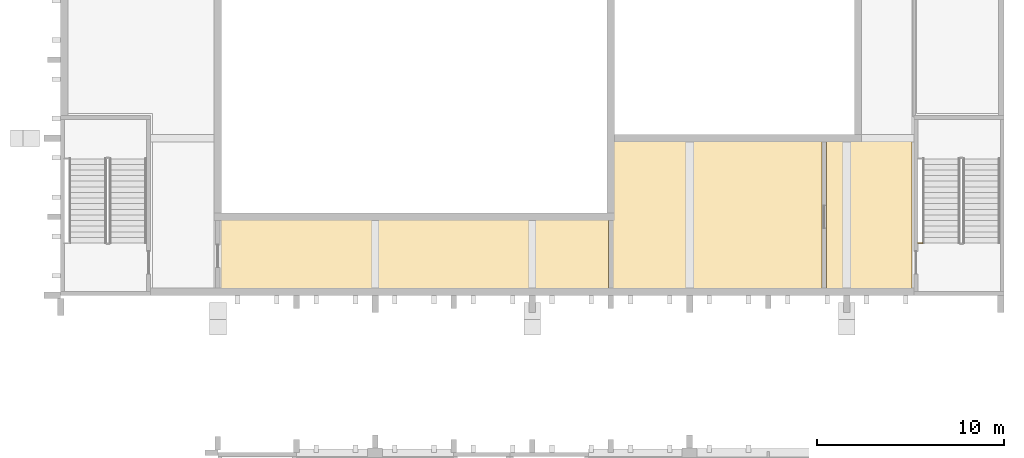
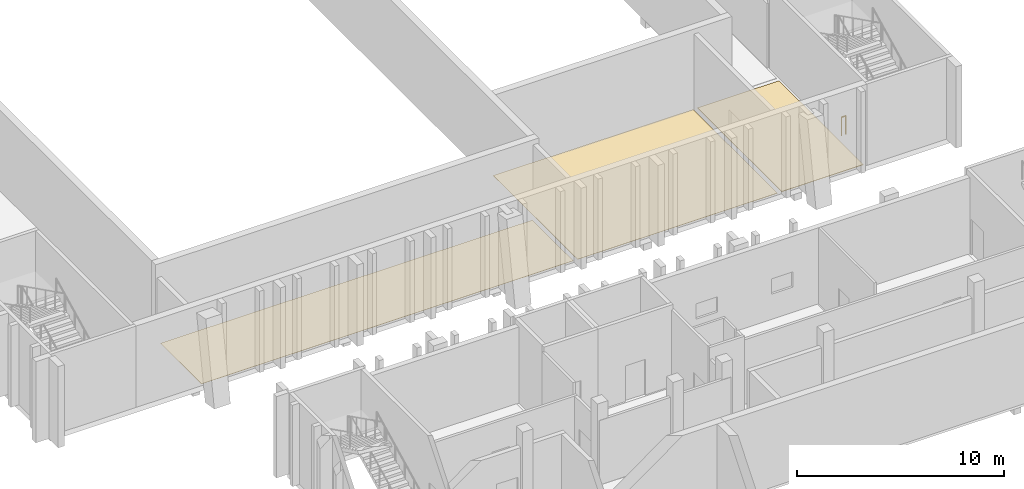
# One storey, part 90 of 91: 3 coverings, 1 railing.
"""IFC4 building model written with IfcOpenShell, lengths in metres."""

import ifcopenshell
import ifcopenshell.guid

model = None  # the IFC model being written
_history = None  # IfcOwnerHistory: only IFC2X3 demands one
_inside = {}  # id of a spatial element -> (the spatial element, [elements in it])
_under = {}  # id of a project, library or spatial element -> (it, [spatial elements below it])
_declared = {}  # id of a project -> (the project, [libraries it declares])
_typed = {}  # id of a type object -> (the type object, [elements of that type])
_made_of = {}  # id of a material, layer set ... -> (it, [elements and type objects made of it])


def new_model(schema):
    """Start an empty IFC model of exactly this schema.

    Asked for "IFC4X3", IfcOpenShell would pick the latest addendum, in which some entities
    have other attributes; the version numbers below select the first issue.
    IFC2X3 requires an IfcOwnerHistory on every rooted entity: one is made here for all.
    """
    global model, _history
    if schema == "IFC4X3":
        model = ifcopenshell.file(schema_version=(4, 3, 0, 0))
    else:
        model = ifcopenshell.file(schema=schema)
    _inside.clear()
    _under.clear()
    _declared.clear()
    _typed.clear()
    _made_of.clear()
    _history = None
    if model.schema == "IFC2X3":
        org = make("IfcOrganization", Name="unknown")
        user = make(
            "IfcPersonAndOrganization",
            ThePerson=make("IfcPerson", FamilyName="unknown"),
            TheOrganization=org,
        )
        app = make(
            "IfcApplication",
            ApplicationDeveloper=org,
            Version="unknown",
            ApplicationFullName="unknown",
            ApplicationIdentifier="unknown",
        )
        _history = make(
            "IfcOwnerHistory",
            OwningUser=user,
            OwningApplication=app,
            ChangeAction="ADDED",
            CreationDate=0,
        )
    return model


def make(cls, **values):
    """One entity of the class cls with the attributes given. An attribute that is None is left unset."""
    return model.create_entity(
        cls, **{name: value for name, value in values.items() if value is not None}
    )


def rooted(cls, **values):
    """An entity with a GlobalId (a new one), such as an element, a storey or a relation."""
    return make(cls, GlobalId=ifcopenshell.guid.new(), OwnerHistory=_history, **values)


def si_unit(unit_type, name, prefix=None):
    """IfcSIUnit, for example si_unit("LENGTHUNIT", "METRE", prefix="MILLI")."""
    return make("IfcSIUnit", UnitType=unit_type, Prefix=prefix, Name=name)


def assignment(units):
    """IfcUnitAssignment: the units of a project."""
    return None if units is None else make("IfcUnitAssignment", Units=units)


def point(xyz):
    """IfcCartesianPoint."""
    return None if xyz is None else make("IfcCartesianPoint", Coordinates=xyz)


def direction(xyz):
    """IfcDirection."""
    return None if xyz is None else make("IfcDirection", DirectionRatios=xyz)


def frame(location, z_axis=None, x_axis=None):
    """IfcAxis2Placement3D, a coordinate frame: its origin and axes. An axis left out is left unset."""
    return make(
        "IfcAxis2Placement3D",
        Location=point(location),
        Axis=direction(z_axis),
        RefDirection=direction(x_axis),
    )


def frame_2d(location, x_axis=None):
    """IfcAxis2Placement2D, a coordinate frame in the plane: its origin and x axis."""
    return make(
        "IfcAxis2Placement2D", Location=point(location), RefDirection=direction(x_axis)
    )


def origin():
    """The frame at (0, 0, 0) with its axes left unset."""
    return frame((0.0, 0.0, 0.0))


def origin_2d():
    """The frame at (0, 0) in the plane with its x axis left unset."""
    return frame_2d((0.0, 0.0))


def place(relative_to, where):
    """IfcLocalPlacement: puts the frame where relative to a parent placement (None: the world)."""
    return make(
        "IfcLocalPlacement", PlacementRelTo=relative_to, RelativePlacement=where
    )


def context(
    kind, dimensions, precision=None, world=None, true_north=None, identifier=None
):
    """IfcGeometricRepresentationContext, for example the 3D "Model" context."""
    return make(
        "IfcGeometricRepresentationContext",
        ContextIdentifier=identifier,
        ContextType=kind,
        CoordinateSpaceDimension=dimensions,
        Precision=precision,
        WorldCoordinateSystem=world,
        TrueNorth=true_north,
    )


def subcontext(parent, identifier, kind, view, scale=None):
    """IfcGeometricRepresentationSubContext, for example "Body" below "Model"."""
    return make(
        "IfcGeometricRepresentationSubContext",
        ContextIdentifier=identifier,
        ContextType=kind,
        ParentContext=parent,
        TargetScale=scale,
        TargetView=view,
    )


def project(units=None, contexts=None):
    """IfcProject with its units and contexts."""
    return rooted(
        "IfcProject",
        Name="project",
        RepresentationContexts=contexts,
        UnitsInContext=assignment(units),
    )


def spatial(cls, under=None, at=None, **own):
    """A site, building, storey or space (cls), placed at a placement, below another one or the project."""
    s = rooted(cls, ObjectPlacement=at, **own)
    if under is not None:
        _under.setdefault(under.id(), (under, []))[1].append(s)
    return s


def polyline(points):
    """IfcPolyline through the points."""
    return make("IfcPolyline", Points=[point(p) for p in points])


def profile(cls, at=None, kind="AREA", **sizes):
    """A parametric profile (cls). Its sizes go by their IFC names, for example OverallWidth=200.0."""
    return make(cls, ProfileType=kind, Position=at, **sizes)


def circle(**sizes):
    """IfcCircleProfileDef."""
    return profile("IfcCircleProfileDef", **sizes)


def outline(outer, holes=None, kind="AREA"):
    """IfcArbitraryClosedProfileDef: a profile drawn as a closed curve; with holes, ...WithVoids."""
    if holes is None:
        return make("IfcArbitraryClosedProfileDef", ProfileType=kind, OuterCurve=outer)
    return make(
        "IfcArbitraryProfileDefWithVoids",
        ProfileType=kind,
        OuterCurve=outer,
        InnerCurves=holes,
    )


def extrude(swept, where, along, depth):
    """IfcExtrudedAreaSolid: the profile swept, set in the frame where, extruded along a direction by depth."""
    return make(
        "IfcExtrudedAreaSolid",
        SweptArea=swept,
        Position=where,
        ExtrudedDirection=direction(along),
        Depth=depth,
    )


def shape(context_of_items, identifier, shape_type, items):
    """IfcShapeRepresentation: the items that make up one representation, for example the "Body"."""
    return make(
        "IfcShapeRepresentation",
        ContextOfItems=context_of_items,
        RepresentationIdentifier=identifier,
        RepresentationType=shape_type,
        Items=items,
    )


def material(Name=None, Category=None):
    """IfcMaterial."""
    return make("IfcMaterial", Name=Name, Category=Category)


def layer(
    of_material, thickness, ventilated=None, Name=None, Category=None, Priority=None
):
    """IfcMaterialLayer: one layer of a wall or slab, of a material (None: an air gap)."""
    return make(
        "IfcMaterialLayer",
        Material=of_material,
        LayerThickness=thickness,
        IsVentilated=ventilated,
        Name=Name,
        Category=Category,
        Priority=Priority,
    )


def layer_set(layers, Name=None):
    """IfcMaterialLayerSet."""
    return make("IfcMaterialLayerSet", MaterialLayers=layers, LayerSetName=Name)


def made_of(thing, what):
    """Note that an element or type object is made of a material, layer set ...; save() writes the relation."""
    if what is not None:
        _made_of.setdefault(what.id(), (what, []))[1].append(thing)
    return thing


def type_object(cls, material=None, **own):
    """A type object (cls), such as IfcWallType, which elements share."""
    return made_of(rooted(cls, **own), material)


def element(
    cls,
    number,
    at=None,
    inside=None,
    cuts=None,
    type_object=None,
    material=None,
    context=None,
    identifier="Body",
    shape_type=None,
    held_by="IfcProductDefinitionShape",
    body=None,
    shapes=None,
    **own,
):
    """One element of the class cls, such as IfcWall. Its Tag is "e" and its number.

    at: its placement. inside: the storey or other place that contains it. cuts: it is an
    opening in that element (IfcRelVoidsElement). A single representation is given by context,
    identifier, shape_type and body (its items); several are given by shapes. held_by: the class
    of the entity that holds the representations. save() writes the other relations.
    """
    e = rooted(cls, Tag="e%d" % number, ObjectPlacement=at, **own)
    if body is not None:
        shapes = [shape(context, identifier, shape_type, body)]
    if shapes is not None:
        e.Representation = make(held_by, Representations=shapes)
    if inside is not None:
        _inside.setdefault(inside.id(), (inside, []))[1].append(e)
    if cuts is not None:
        rooted(
            "IfcRelVoidsElement", RelatingBuildingElement=cuts, RelatedOpeningElement=e
        )
    if type_object is not None:
        _typed.setdefault(type_object.id(), (type_object, []))[1].append(e)
    return made_of(e, material)


def aggregate(whole, parts):
    """IfcRelAggregates: a whole, such as a stair, and the parts it consists of."""
    return rooted("IfcRelAggregates", RelatingObject=whole, RelatedObjects=parts)


def save(model, path):
    """Write the relations noted so far, then the file.

    IfcRelAggregates (storeys below a building ...), IfcRelContainedInSpatialStructure (elements
    in a storey), IfcRelDefinesByType, IfcRelAssociatesMaterial and IfcRelDeclares: one each for
    every whole, place, type object, material and project.
    """
    for whole, parts in _under.values():
        aggregate(whole, parts)
    for where, things in _inside.values():
        rooted(
            "IfcRelContainedInSpatialStructure",
            RelatedElements=things,
            RelatingStructure=where,
        )
    for kind, things in _typed.values():
        rooted("IfcRelDefinesByType", RelatedObjects=things, RelatingType=kind)
    for what, things in _made_of.values():
        rooted("IfcRelAssociatesMaterial", RelatedObjects=things, RelatingMaterial=what)
    for by, libraries in _declared.values():
        rooted("IfcRelDeclares", RelatingContext=by, RelatedDefinitions=libraries)
    model.write(path)


model = new_model("IFC4")

# Units and contexts
model_context = context("Model", 3, precision=1e-05, world=origin(), true_north=direction((0.0, 1.0)))
body_context = subcontext(model_context, "Body", "Model", "MODEL_VIEW")
ifc_project = project(units=[si_unit("LENGTHUNIT", "METRE"), si_unit("AREAUNIT", "SQUARE_METRE"), si_unit("VOLUMEUNIT", "CUBIC_METRE"), si_unit("PLANEANGLEUNIT", "RADIAN"), si_unit("MASSUNIT", "GRAM", prefix="KILO")], contexts=[model_context])

# Site, building, storey
site_placement = place(None, origin())
site = spatial("IfcSite", under=ifc_project, at=site_placement, CompositionType="ELEMENT")
building_placement = place(site_placement, origin())
building = spatial("IfcBuilding", under=site, at=building_placement, Name="Kiln Court Media Centre", CompositionType="ELEMENT")
storey_placement = place(building_placement, frame((0.0, 0.0, 5.39990234375)))
storey = spatial("IfcBuildingStorey", under=building, at=storey_placement, Name="L01", CompositionType="ELEMENT", Elevation=5.39990234375)

# Coverings
ifc_material_1 = material(Name="Carpet tile")
ifc_layer_1 = layer(ifc_material_1, 0.014892578125)
ifc_layer_set_1 = layer_set([ifc_layer_1], Name="Carpet tile floor finish 15")
covering_type_1 = type_object("IfcCoveringType", Name="Carpet tile floor finish 15", PredefinedType="FLOORING", material=ifc_layer_set_1)
covering_1_placement = place(storey_placement, origin())
element("IfcCovering", 1, at=covering_1_placement, inside=storey, type_object=covering_type_1, Name="Control Room A floor finish", PredefinedType="FLOORING", context=body_context, shape_type="SweptSolid", body=[
    extrude(outline(polyline([(126.1201171875, 33.719970703125), (146.8798828125, 33.719970703125), (146.8798828125, 37.679931640625), (126.1201171875, 37.679931640625), (126.1201171875, 33.719970703125)])), origin(), (0.0, 0.0, 1.0), 0.01513671875),
])
covering_2_placement = place(storey_placement, origin())
element("IfcCovering", 2, at=covering_2_placement, inside=storey, type_object=covering_type_1, Name="Control Room B floor finish", PredefinedType="FLOORING", context=body_context, shape_type="SweptSolid", body=[
    extrude(outline(polyline([(147.1201171875, 33.719970703125), (158.280029296875, 33.719970703125), (158.280029296875, 41.8798828125), (147.1201171875, 41.8798828125), (147.1201171875, 33.719970703125)])), origin(), (0.0, 0.0, 1.0), 0.01513671875),
])
ifc_material_2 = material(Name="Terrazzo")
ifc_layer_2 = layer(ifc_material_2, 0.02490234375)
ifc_layer_set_2 = layer_set([ifc_layer_2], Name="Polished terrazzo floor finish 25")
covering_type_2 = type_object("IfcCoveringType", Name="Polished terrazzo floor finish 25", PredefinedType="FLOORING", material=ifc_layer_set_2)
covering_3_placement = place(storey_placement, origin())
element("IfcCovering", 3, at=covering_3_placement, inside=storey, type_object=covering_type_2, Name="Control Gallery floor finish", PredefinedType="FLOORING", context=body_context, shape_type="SweptSolid", body=[
    extrude(outline(polyline([(158.52001953125, 33.719970703125), (163.080078125, 33.719970703125), (163.080078125, 41.8798828125), (158.52001953125, 41.8798828125), (158.52001953125, 33.719970703125)])), origin(), (0.0, 0.0, 1.0), 0.025146484375),
])

# Railing
ifc_material_3 = material(Name="Steel S275", Category="steel")
railing_type = type_object("IfcRailingType", Name="Steel S275 stair guard 1100", PredefinedType="GUARDRAIL", material=ifc_material_3)
railing_placement = place(storey_placement, frame((163.64990234375, 36.39990234375, 0.0)))
element("IfcRailing", 4, at=railing_placement, inside=storey, type_object=railing_type, Name="ST-14 landing edge guard", PredefinedType="GUARDRAIL", context=body_context, shape_type="SweptSolid", body=[
    extrude(circle(Radius=0.02392578125, at=origin_2d()), frame((0.0, 0.0, 1.076171875), z_axis=(-1.0, 0.0, 0.0), x_axis=(0.0, -1.0, 0.0)), (0.0, 0.0, 1.0), 0.25),
    extrude(circle(Radius=0.02099609375, at=origin_2d()), origin(), (0.0, 0.0, 1.0), 1.052001953125),
    extrude(circle(Radius=0.02099609375, at=origin_2d()), frame((-0.25, 0.0, 0.0)), (0.0, 0.0, 1.0), 1.052001953125),
])

save(model, "model.ifc")
